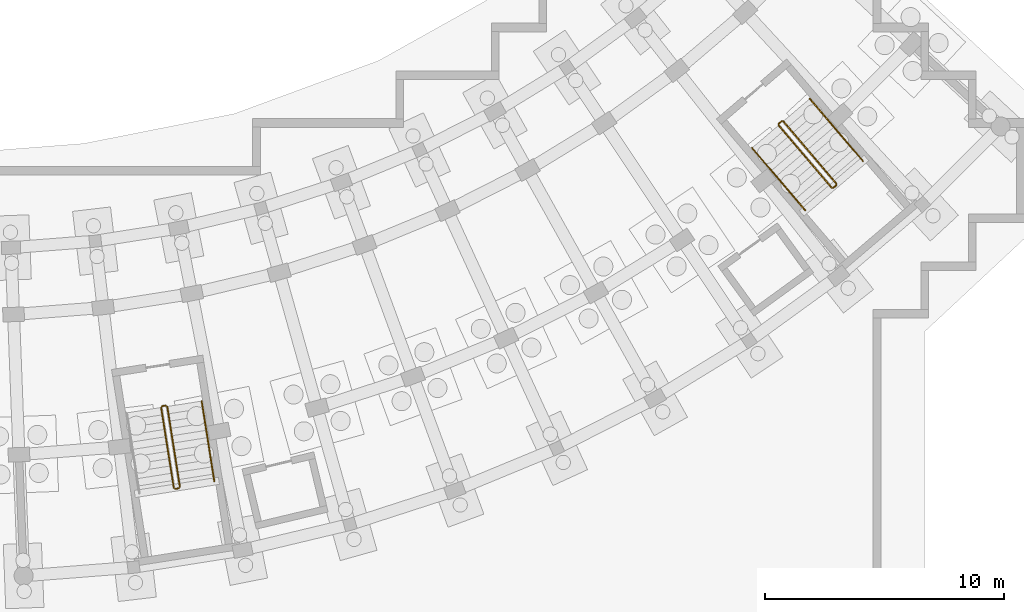
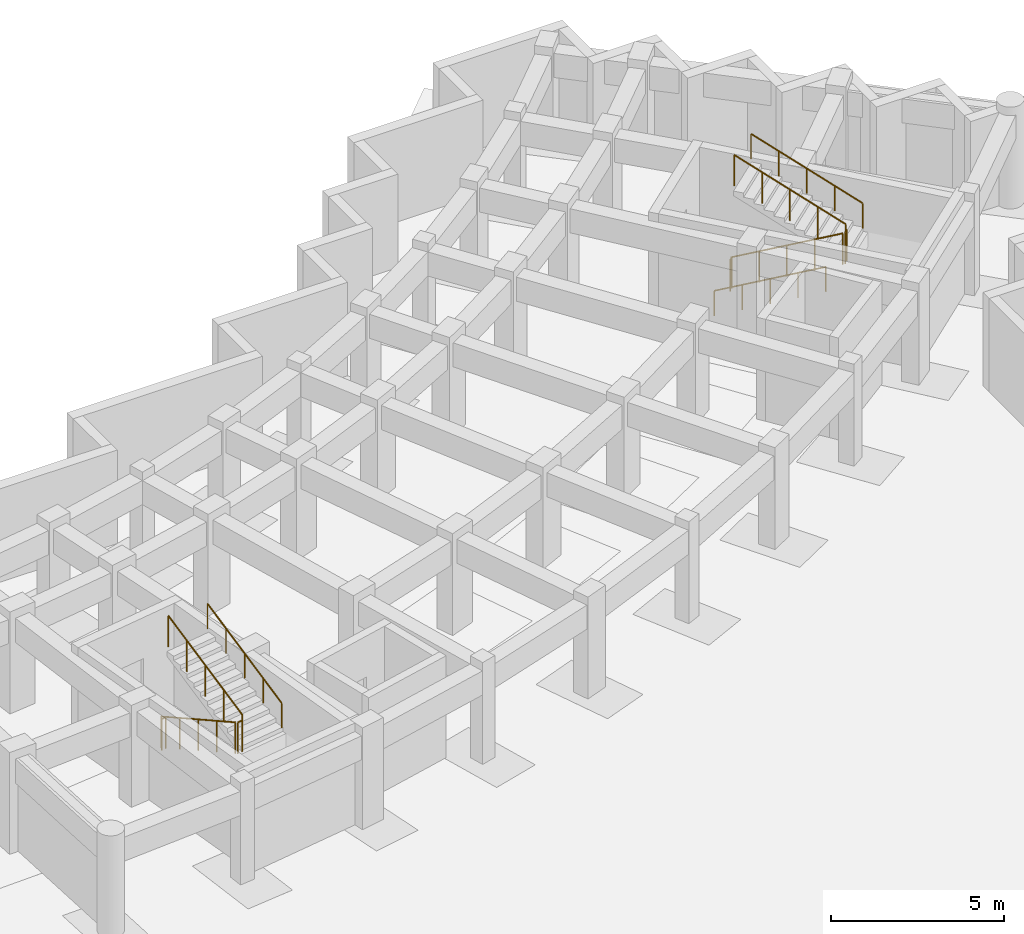
# One storey, part 32 of 32: 11 railings.
"""IFC4 building model written with IfcOpenShell, lengths in metres."""

from ifc_helpers import new_model, si_unit, direction, frame, origin, origin_2d, place, context, subcontext, project, spatial, circle, extrude, material, type_object, element, save


model = new_model("IFC4")

# Units and contexts
model_context = context("Model", 3, precision=1e-05, world=origin(), true_north=direction((0.0, 1.0)))
body_context = subcontext(model_context, "Body", "Model", "MODEL_VIEW")
ifc_project = project(units=[si_unit("LENGTHUNIT", "METRE"), si_unit("AREAUNIT", "SQUARE_METRE"), si_unit("VOLUMEUNIT", "CUBIC_METRE"), si_unit("PLANEANGLEUNIT", "RADIAN"), si_unit("MASSUNIT", "GRAM", prefix="KILO")], contexts=[model_context])

# Site, building, storey
site_placement = place(None, origin())
site = spatial("IfcSite", under=ifc_project, at=site_placement, CompositionType="ELEMENT")
building_placement = place(site_placement, origin())
building = spatial("IfcBuilding", under=site, at=building_placement, Name="Zimvara Arc Housing Community", CompositionType="ELEMENT")
storey_placement = place(building_placement, frame((0.0, 0.0, -3.60009765625)))
storey = spatial("IfcBuildingStorey", under=building, at=storey_placement, Name="B1", CompositionType="ELEMENT", Elevation=-3.60009765625)

# Railings
ifc_material_1 = material(Name="Anodised Aluminium AW-6063", Category="aluminium")
railing_type_1 = type_object("IfcRailingType", Name="RLG-BAL-1120", PredefinedType="BALUSTRADE", material=ifc_material_1)
railing_1_placement = place(storey_placement, frame((134.003662109375, 58.077880859375, 0.150146484375)))
element("IfcRailing", 1, at=railing_1_placement, inside=storey, type_object=railing_type_1, Name="B1 ST-D1 stair guard 1", PredefinedType="BALUSTRADE", context=body_context, shape_type="SweptSolid", body=[
    extrude(circle(Radius=0.02392578125, at=origin_2d()), frame((0.0, 0.0, 1.09619140625), z_axis=(0.140039953851, -0.889218261956, 0.435522323112), x_axis=(0.987824997809, 0.155569192654, 0.0)), (0.0, 0.0, 1.0), 3.788330078125),
    extrude(circle(Radius=0.02099609375, at=origin_2d()), origin(), (0.0, 0.0, 1.0), 1.072021484375),
    extrude(circle(Radius=0.02099609375, at=origin_2d()), frame((0.132568359375, -0.84228515625, 0.41259765625)), (0.0, 0.0, 1.0), 1.072021484375),
    extrude(circle(Radius=0.02099609375, at=origin_2d()), frame((0.26513671875, -1.684326171875, 0.824951171875)), (0.0, 0.0, 1.0), 1.072021484375),
    extrude(circle(Radius=0.02099609375, at=origin_2d()), frame((0.39794921875, -2.5263671875, 1.2373046875)), (0.0, 0.0, 1.0), 1.072021484375),
    extrude(circle(Radius=0.02099609375, at=origin_2d()), frame((0.530517578125, -3.36865234375, 1.64990234375)), (0.0, 0.0, 1.0), 1.072021484375),
])
railing_2_placement = place(storey_placement, frame((134.59130859375, 54.667724609375, 1.800048828125)))
element("IfcRailing", 2, at=railing_2_placement, inside=storey, type_object=railing_type_1, Name="B1 ST-D1 stair guard 2", PredefinedType="BALUSTRADE", context=body_context, shape_type="SweptSolid", body=[
    extrude(circle(Radius=0.02392578125, at=origin_2d()), frame((0.0, 0.0, 1.09619140625), z_axis=(0.987800074219, 0.155727368733, 0.0), x_axis=(-0.155727368733, 0.987800074219, 0.0)), (0.0, 0.0, 1.0), 0.159912109375),
    extrude(circle(Radius=0.02099609375, at=origin_2d()), origin(), (0.0, 0.0, 1.0), 1.072021484375),
    extrude(circle(Radius=0.02099609375, at=origin_2d()), frame((0.157958984375, 0.02490234375, 0.0)), (0.0, 0.0, 1.0), 1.072021484375),
])
railing_3_placement = place(storey_placement, frame((134.791015625, 54.749755859375, 1.9501953125)))
element("IfcRailing", 3, at=railing_3_placement, inside=storey, type_object=railing_type_1, Name="B1 ST-D1 stair guard 3", PredefinedType="BALUSTRADE", context=body_context, shape_type="SweptSolid", body=[
    extrude(circle(Radius=0.02392578125, at=origin_2d()), frame((0.0, 0.0, 1.09619140625), z_axis=(-0.140047979389, 0.889204772953, 0.435547282425), x_axis=(-0.987823264975, -0.155580195317, 0.0)), (0.0, 0.0, 1.0), 3.7880859375),
    extrude(circle(Radius=0.02099609375, at=origin_2d()), origin(), (0.0, 0.0, 1.0), 1.072021484375),
    extrude(circle(Radius=0.02099609375, at=origin_2d()), frame((-0.132568359375, 0.842041015625, 0.41259765625)), (0.0, 0.0, 1.0), 1.072021484375),
    extrude(circle(Radius=0.02099609375, at=origin_2d()), frame((-0.26513671875, 1.68408203125, 0.824951171875)), (0.0, 0.0, 1.0), 1.072021484375),
    extrude(circle(Radius=0.02099609375, at=origin_2d()), frame((-0.39794921875, 2.5263671875, 1.2373046875)), (0.0, 0.0, 1.0), 1.072021484375),
    extrude(circle(Radius=0.02099609375, at=origin_2d()), frame((-0.530517578125, 3.368408203125, 1.64990234375)), (0.0, 0.0, 1.0), 1.072021484375),
])
railing_4_placement = place(storey_placement, frame((134.045166015625, 58.135009765625, 0.0)))
element("IfcRailing", 4, at=railing_4_placement, inside=storey, type_object=railing_type_1, Name="B1 ST-D1 stair guard 4", PredefinedType="BALUSTRADE", context=body_context, shape_type="SweptSolid", body=[
    extrude(circle(Radius=0.02392578125, at=origin_2d()), frame((0.0, 0.0, 1.09619140625), z_axis=(0.987800074219, 0.155727368733, 0.0), x_axis=(-0.155727368733, 0.987800074219, 0.0)), (0.0, 0.0, 1.0), 0.159912109375),
    extrude(circle(Radius=0.02099609375, at=origin_2d()), origin(), (0.0, 0.0, 1.0), 1.072021484375),
    extrude(circle(Radius=0.02099609375, at=origin_2d()), frame((0.157958984375, 0.02490234375, 0.0)), (0.0, 0.0, 1.0), 1.072021484375),
])
railing_5_placement = place(storey_placement, frame((159.87744140625, 69.900634765625, 0.150146484375)))
element("IfcRailing", 5, at=railing_5_placement, inside=storey, type_object=railing_type_1, Name="B1 ST-D2 stair guard 1", PredefinedType="BALUSTRADE", context=body_context, shape_type="SweptSolid", body=[
    extrude(circle(Radius=0.02392578125, at=origin_2d()), frame((0.0, 0.0, 1.09619140625), z_axis=(0.584722587577, -0.685830868345, 0.43328456654), x_axis=(0.760971332104, 0.648785505168, 0.0)), (0.0, 0.0, 1.0), 3.807861328125),
    extrude(circle(Radius=0.02099609375, at=origin_2d()), origin(), (0.0, 0.0, 1.0), 1.072021484375),
    extrude(circle(Radius=0.02099609375, at=origin_2d()), frame((0.556640625, -0.65283203125, 0.41259765625)), (0.0, 0.0, 1.0), 1.072021484375),
    extrude(circle(Radius=0.02099609375, at=origin_2d()), frame((1.11328125, -1.3056640625, 0.824951171875)), (0.0, 0.0, 1.0), 1.072021484375),
    extrude(circle(Radius=0.02099609375, at=origin_2d()), frame((1.669921875, -1.958740234375, 1.2373046875)), (0.0, 0.0, 1.0), 1.072021484375),
    extrude(circle(Radius=0.02099609375, at=origin_2d()), frame((2.2265625, -2.611572265625, 1.64990234375)), (0.0, 0.0, 1.0), 1.072021484375),
])
railing_6_placement = place(storey_placement, frame((162.174560546875, 67.283447265625, 1.800048828125)))
element("IfcRailing", 6, at=railing_6_placement, inside=storey, type_object=railing_type_1, Name="B1 ST-D2 stair guard 2", PredefinedType="BALUSTRADE", context=body_context, shape_type="SweptSolid", body=[
    extrude(circle(Radius=0.02392578125, at=origin_2d()), frame((0.0, 0.0, 1.09619140625), z_axis=(0.760656476318, 0.649154623364, 0.0), x_axis=(-0.649154623364, 0.760656476318, 0.0)), (0.0, 0.0, 1.0), 0.159912109375),
    extrude(circle(Radius=0.02099609375, at=origin_2d()), origin(), (0.0, 0.0, 1.0), 1.072021484375),
    extrude(circle(Radius=0.02099609375, at=origin_2d()), frame((0.12158203125, 0.103759765625, 0.0)), (0.0, 0.0, 1.0), 1.072021484375),
])
railing_7_placement = place(storey_placement, frame((162.3017578125, 67.457763671875, 1.9501953125)))
element("IfcRailing", 7, at=railing_7_placement, inside=storey, type_object=railing_type_1, Name="B1 ST-D2 stair guard 3", PredefinedType="BALUSTRADE", context=body_context, shape_type="SweptSolid", body=[
    extrude(circle(Radius=0.02392578125, at=origin_2d()), frame((0.0, 0.0, 1.09619140625), z_axis=(-0.584722587577, 0.685830868345, 0.43328456654), x_axis=(-0.760971332104, -0.648785505168, 0.0)), (0.0, 0.0, 1.0), 3.807861328125),
    extrude(circle(Radius=0.02099609375, at=origin_2d()), origin(), (0.0, 0.0, 1.0), 1.072021484375),
    extrude(circle(Radius=0.02099609375, at=origin_2d()), frame((-0.556640625, 0.65283203125, 0.41259765625)), (0.0, 0.0, 1.0), 1.072021484375),
    extrude(circle(Radius=0.02099609375, at=origin_2d()), frame((-1.11328125, 1.3056640625, 0.824951171875)), (0.0, 0.0, 1.0), 1.072021484375),
    extrude(circle(Radius=0.02099609375, at=origin_2d()), frame((-1.669921875, 1.958740234375, 1.2373046875)), (0.0, 0.0, 1.0), 1.072021484375),
    extrude(circle(Radius=0.02099609375, at=origin_2d()), frame((-2.2265625, 2.611572265625, 1.64990234375)), (0.0, 0.0, 1.0), 1.072021484375),
])
railing_8_placement = place(storey_placement, frame((159.883056640625, 69.97119140625, 0.0)))
element("IfcRailing", 8, at=railing_8_placement, inside=storey, type_object=railing_type_1, Name="B1 ST-D2 stair guard 4", PredefinedType="BALUSTRADE", context=body_context, shape_type="SweptSolid", body=[
    extrude(circle(Radius=0.02392578125, at=origin_2d()), frame((0.0, 0.0, 1.09619140625), z_axis=(0.760656476318, 0.649154623364, 0.0), x_axis=(-0.649154623364, 0.760656476318, 0.0)), (0.0, 0.0, 1.0), 0.159912109375),
    extrude(circle(Radius=0.02099609375, at=origin_2d()), origin(), (0.0, 0.0, 1.0), 1.072021484375),
    extrude(circle(Radius=0.02099609375, at=origin_2d()), frame((0.12158203125, 0.103759765625, 0.0)), (0.0, 0.0, 1.0), 1.072021484375),
])
ifc_material_2 = material(Name="Anodised Aluminium AW-6063", Category="aluminium")
railing_type_2 = type_object("IfcRailingType", Name="RLG-HND-900", PredefinedType="HANDRAIL", material=ifc_material_2)
railing_9_placement = place(storey_placement, frame((136.233154296875, 54.976806640625, 1.9501953125)))
element("IfcRailing", 9, at=railing_9_placement, inside=storey, type_object=railing_type_2, Name="B1 ST-D1 stair handrail 2", PredefinedType="HANDRAIL", context=body_context, shape_type="SweptSolid", body=[
    extrude(circle(Radius=0.02392578125, at=origin_2d()), frame((0.0, 0.0, 0.8759765625), z_axis=(-0.140039953851, 0.889218261956, 0.435522323112), x_axis=(-0.987824997809, -0.155569192654, 0.0)), (0.0, 0.0, 1.0), 3.788330078125),
    extrude(circle(Radius=0.02099609375, at=origin_2d()), origin(), (0.0, 0.0, 1.0), 0.851806640625),
    extrude(circle(Radius=0.02099609375, at=origin_2d()), frame((-0.132568359375, 0.84228515625, 0.41259765625)), (0.0, 0.0, 1.0), 0.851806640625),
    extrude(circle(Radius=0.02099609375, at=origin_2d()), frame((-0.26513671875, 1.684326171875, 0.824951171875)), (0.0, 0.0, 1.0), 0.851806640625),
    extrude(circle(Radius=0.02099609375, at=origin_2d()), frame((-0.39794921875, 2.5263671875, 1.2373046875)), (0.0, 0.0, 1.0), 0.851806640625),
    extrude(circle(Radius=0.02099609375, at=origin_2d()), frame((-0.530517578125, 3.36865234375, 1.64990234375)), (0.0, 0.0, 1.0), 0.851806640625),
])
railing_10_placement = place(storey_placement, frame((158.766357421875, 68.953369140625, 0.150146484375)))
element("IfcRailing", 10, at=railing_10_placement, inside=storey, type_object=railing_type_2, Name="B1 ST-D2 stair handrail 1", PredefinedType="HANDRAIL", context=body_context, shape_type="SweptSolid", body=[
    extrude(circle(Radius=0.02392578125, at=origin_2d()), frame((0.0, 0.0, 0.8759765625), z_axis=(0.584722587577, -0.685830868345, 0.43328456654), x_axis=(0.760971332104, 0.648785505168, 0.0)), (0.0, 0.0, 1.0), 3.807861328125),
    extrude(circle(Radius=0.02099609375, at=origin_2d()), origin(), (0.0, 0.0, 1.0), 0.851806640625),
    extrude(circle(Radius=0.02099609375, at=origin_2d()), frame((0.556640625, -0.65283203125, 0.41259765625)), (0.0, 0.0, 1.0), 0.851806640625),
    extrude(circle(Radius=0.02099609375, at=origin_2d()), frame((1.11328125, -1.3056640625, 0.824951171875)), (0.0, 0.0, 1.0), 0.851806640625),
    extrude(circle(Radius=0.02099609375, at=origin_2d()), frame((1.669921875, -1.958740234375, 1.2373046875)), (0.0, 0.0, 1.0), 0.851806640625),
    extrude(circle(Radius=0.02099609375, at=origin_2d()), frame((2.2265625, -2.611572265625, 1.64990234375)), (0.0, 0.0, 1.0), 0.851806640625),
])
railing_11_placement = place(storey_placement, frame((163.412841796875, 68.405029296875, 1.9501953125)))
element("IfcRailing", 11, at=railing_11_placement, inside=storey, type_object=railing_type_2, Name="B1 ST-D2 stair handrail 2", PredefinedType="HANDRAIL", context=body_context, shape_type="SweptSolid", body=[
    extrude(circle(Radius=0.02392578125, at=origin_2d()), frame((0.0, 0.0, 0.8759765625), z_axis=(-0.584722587577, 0.685830868345, 0.43328456654), x_axis=(-0.760971332104, -0.648785505168, 0.0)), (0.0, 0.0, 1.0), 3.807861328125),
    extrude(circle(Radius=0.02099609375, at=origin_2d()), origin(), (0.0, 0.0, 1.0), 0.851806640625),
    extrude(circle(Radius=0.02099609375, at=origin_2d()), frame((-0.556640625, 0.65283203125, 0.41259765625)), (0.0, 0.0, 1.0), 0.851806640625),
    extrude(circle(Radius=0.02099609375, at=origin_2d()), frame((-1.11328125, 1.3056640625, 0.824951171875)), (0.0, 0.0, 1.0), 0.851806640625),
    extrude(circle(Radius=0.02099609375, at=origin_2d()), frame((-1.669921875, 1.958740234375, 1.2373046875)), (0.0, 0.0, 1.0), 0.851806640625),
    extrude(circle(Radius=0.02099609375, at=origin_2d()), frame((-2.2265625, 2.611572265625, 1.64990234375)), (0.0, 0.0, 1.0), 0.851806640625),
])

save(model, "model.ifc")
